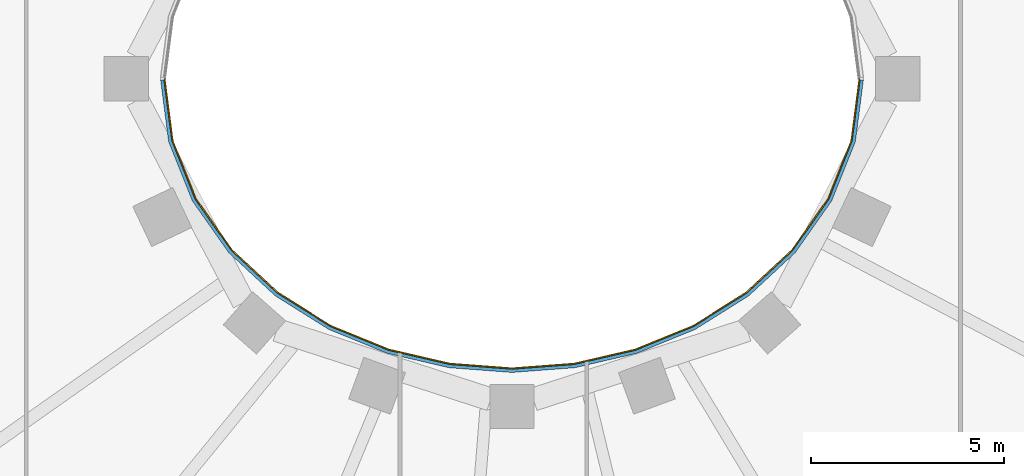
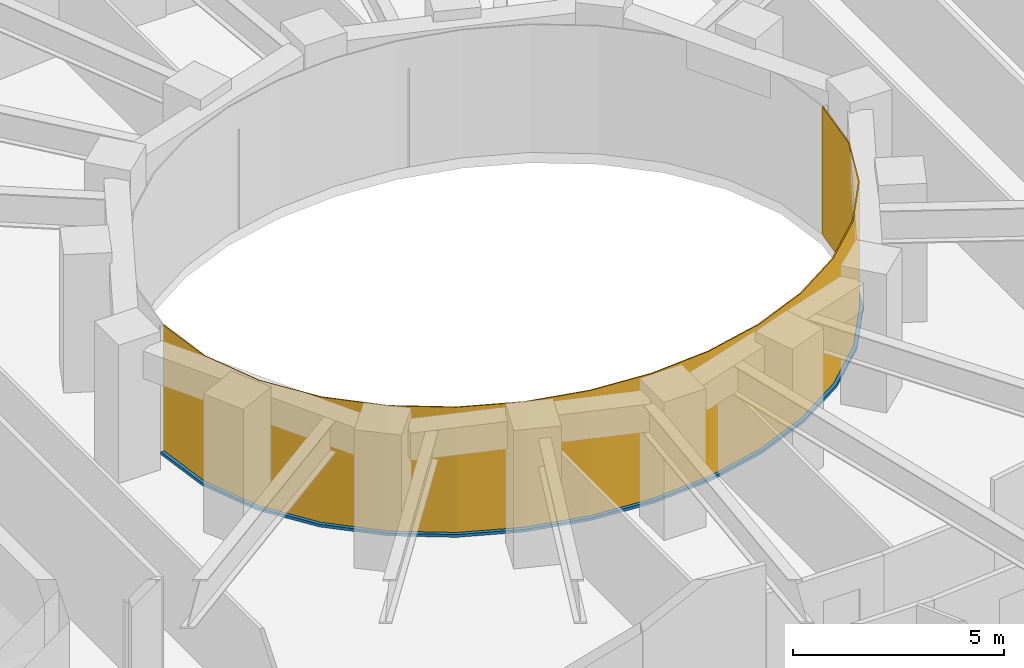
# One storey, part 10 of 17: 1 curtain wall, 1 member.
"""IFC4 building model written with IfcOpenShell, lengths in metres."""

import ifcopenshell
import ifcopenshell.guid

model = None  # the IFC model being written
_history = None  # IfcOwnerHistory: only IFC2X3 demands one
_inside = {}  # id of a spatial element -> (the spatial element, [elements in it])
_under = {}  # id of a project, library or spatial element -> (it, [spatial elements below it])
_declared = {}  # id of a project -> (the project, [libraries it declares])
_typed = {}  # id of a type object -> (the type object, [elements of that type])
_made_of = {}  # id of a material, layer set ... -> (it, [elements and type objects made of it])


def new_model(schema):
    """Start an empty IFC model of exactly this schema.

    Asked for "IFC4X3", IfcOpenShell would pick the latest addendum, in which some entities
    have other attributes; the version numbers below select the first issue.
    IFC2X3 requires an IfcOwnerHistory on every rooted entity: one is made here for all.
    """
    global model, _history
    if schema == "IFC4X3":
        model = ifcopenshell.file(schema_version=(4, 3, 0, 0))
    else:
        model = ifcopenshell.file(schema=schema)
    _inside.clear()
    _under.clear()
    _declared.clear()
    _typed.clear()
    _made_of.clear()
    _history = None
    if model.schema == "IFC2X3":
        org = make("IfcOrganization", Name="unknown")
        user = make(
            "IfcPersonAndOrganization",
            ThePerson=make("IfcPerson", FamilyName="unknown"),
            TheOrganization=org,
        )
        app = make(
            "IfcApplication",
            ApplicationDeveloper=org,
            Version="unknown",
            ApplicationFullName="unknown",
            ApplicationIdentifier="unknown",
        )
        _history = make(
            "IfcOwnerHistory",
            OwningUser=user,
            OwningApplication=app,
            ChangeAction="ADDED",
            CreationDate=0,
        )
    return model


def make(cls, **values):
    """One entity of the class cls with the attributes given. An attribute that is None is left unset."""
    return model.create_entity(
        cls, **{name: value for name, value in values.items() if value is not None}
    )


def rooted(cls, **values):
    """An entity with a GlobalId (a new one), such as an element, a storey or a relation."""
    return make(cls, GlobalId=ifcopenshell.guid.new(), OwnerHistory=_history, **values)


def si_unit(unit_type, name, prefix=None):
    """IfcSIUnit, for example si_unit("LENGTHUNIT", "METRE", prefix="MILLI")."""
    return make("IfcSIUnit", UnitType=unit_type, Prefix=prefix, Name=name)


def assignment(units):
    """IfcUnitAssignment: the units of a project."""
    return None if units is None else make("IfcUnitAssignment", Units=units)


def point(xyz):
    """IfcCartesianPoint."""
    return None if xyz is None else make("IfcCartesianPoint", Coordinates=xyz)


def direction(xyz):
    """IfcDirection."""
    return None if xyz is None else make("IfcDirection", DirectionRatios=xyz)


def frame(location, z_axis=None, x_axis=None):
    """IfcAxis2Placement3D, a coordinate frame: its origin and axes. An axis left out is left unset."""
    return make(
        "IfcAxis2Placement3D",
        Location=point(location),
        Axis=direction(z_axis),
        RefDirection=direction(x_axis),
    )


def origin():
    """The frame at (0, 0, 0) with its axes left unset."""
    return frame((0.0, 0.0, 0.0))


def place(relative_to, where):
    """IfcLocalPlacement: puts the frame where relative to a parent placement (None: the world)."""
    return make(
        "IfcLocalPlacement", PlacementRelTo=relative_to, RelativePlacement=where
    )


def context(
    kind, dimensions, precision=None, world=None, true_north=None, identifier=None
):
    """IfcGeometricRepresentationContext, for example the 3D "Model" context."""
    return make(
        "IfcGeometricRepresentationContext",
        ContextIdentifier=identifier,
        ContextType=kind,
        CoordinateSpaceDimension=dimensions,
        Precision=precision,
        WorldCoordinateSystem=world,
        TrueNorth=true_north,
    )


def subcontext(parent, identifier, kind, view, scale=None):
    """IfcGeometricRepresentationSubContext, for example "Body" below "Model"."""
    return make(
        "IfcGeometricRepresentationSubContext",
        ContextIdentifier=identifier,
        ContextType=kind,
        ParentContext=parent,
        TargetScale=scale,
        TargetView=view,
    )


def project(units=None, contexts=None):
    """IfcProject with its units and contexts."""
    return rooted(
        "IfcProject",
        Name="project",
        RepresentationContexts=contexts,
        UnitsInContext=assignment(units),
    )


def spatial(cls, under=None, at=None, **own):
    """A site, building, storey or space (cls), placed at a placement, below another one or the project."""
    s = rooted(cls, ObjectPlacement=at, **own)
    if under is not None:
        _under.setdefault(under.id(), (under, []))[1].append(s)
    return s


def polyline(points):
    """IfcPolyline through the points."""
    return make("IfcPolyline", Points=[point(p) for p in points])


def outline(outer, holes=None, kind="AREA"):
    """IfcArbitraryClosedProfileDef: a profile drawn as a closed curve; with holes, ...WithVoids."""
    if holes is None:
        return make("IfcArbitraryClosedProfileDef", ProfileType=kind, OuterCurve=outer)
    return make(
        "IfcArbitraryProfileDefWithVoids",
        ProfileType=kind,
        OuterCurve=outer,
        InnerCurves=holes,
    )


def extrude(swept, where, along, depth):
    """IfcExtrudedAreaSolid: the profile swept, set in the frame where, extruded along a direction by depth."""
    return make(
        "IfcExtrudedAreaSolid",
        SweptArea=swept,
        Position=where,
        ExtrudedDirection=direction(along),
        Depth=depth,
    )


def shape(context_of_items, identifier, shape_type, items):
    """IfcShapeRepresentation: the items that make up one representation, for example the "Body"."""
    return make(
        "IfcShapeRepresentation",
        ContextOfItems=context_of_items,
        RepresentationIdentifier=identifier,
        RepresentationType=shape_type,
        Items=items,
    )


def material(Name=None, Category=None):
    """IfcMaterial."""
    return make("IfcMaterial", Name=Name, Category=Category)


def layer(
    of_material, thickness, ventilated=None, Name=None, Category=None, Priority=None
):
    """IfcMaterialLayer: one layer of a wall or slab, of a material (None: an air gap)."""
    return make(
        "IfcMaterialLayer",
        Material=of_material,
        LayerThickness=thickness,
        IsVentilated=ventilated,
        Name=Name,
        Category=Category,
        Priority=Priority,
    )


def layer_set(layers, Name=None):
    """IfcMaterialLayerSet."""
    return make("IfcMaterialLayerSet", MaterialLayers=layers, LayerSetName=Name)


def made_of(thing, what):
    """Note that an element or type object is made of a material, layer set ...; save() writes the relation."""
    if what is not None:
        _made_of.setdefault(what.id(), (what, []))[1].append(thing)
    return thing


def type_object(cls, material=None, **own):
    """A type object (cls), such as IfcWallType, which elements share."""
    return made_of(rooted(cls, **own), material)


def element(
    cls,
    number,
    at=None,
    inside=None,
    cuts=None,
    type_object=None,
    material=None,
    context=None,
    identifier="Body",
    shape_type=None,
    held_by="IfcProductDefinitionShape",
    body=None,
    shapes=None,
    **own,
):
    """One element of the class cls, such as IfcWall. Its Tag is "e" and its number.

    at: its placement. inside: the storey or other place that contains it. cuts: it is an
    opening in that element (IfcRelVoidsElement). A single representation is given by context,
    identifier, shape_type and body (its items); several are given by shapes. held_by: the class
    of the entity that holds the representations. save() writes the other relations.
    """
    e = rooted(cls, Tag="e%d" % number, ObjectPlacement=at, **own)
    if body is not None:
        shapes = [shape(context, identifier, shape_type, body)]
    if shapes is not None:
        e.Representation = make(held_by, Representations=shapes)
    if inside is not None:
        _inside.setdefault(inside.id(), (inside, []))[1].append(e)
    if cuts is not None:
        rooted(
            "IfcRelVoidsElement", RelatingBuildingElement=cuts, RelatedOpeningElement=e
        )
    if type_object is not None:
        _typed.setdefault(type_object.id(), (type_object, []))[1].append(e)
    return made_of(e, material)


def aggregate(whole, parts):
    """IfcRelAggregates: a whole, such as a stair, and the parts it consists of."""
    return rooted("IfcRelAggregates", RelatingObject=whole, RelatedObjects=parts)


def save(model, path):
    """Write the relations noted so far, then the file.

    IfcRelAggregates (storeys below a building ...), IfcRelContainedInSpatialStructure (elements
    in a storey), IfcRelDefinesByType, IfcRelAssociatesMaterial and IfcRelDeclares: one each for
    every whole, place, type object, material and project.
    """
    for whole, parts in _under.values():
        aggregate(whole, parts)
    for where, things in _inside.values():
        rooted(
            "IfcRelContainedInSpatialStructure",
            RelatedElements=things,
            RelatingStructure=where,
        )
    for kind, things in _typed.values():
        rooted("IfcRelDefinesByType", RelatedObjects=things, RelatingType=kind)
    for what, things in _made_of.values():
        rooted("IfcRelAssociatesMaterial", RelatedObjects=things, RelatingMaterial=what)
    for by, libraries in _declared.values():
        rooted("IfcRelDeclares", RelatingContext=by, RelatedDefinitions=libraries)
    model.write(path)


model = new_model("IFC4")

# Units and contexts
model_context = context("Model", 3, precision=1e-05, world=origin(), true_north=direction((0.0, 1.0)))
body_context = subcontext(model_context, "Body", "Model", "MODEL_VIEW")
ifc_project = project(units=[si_unit("LENGTHUNIT", "METRE"), si_unit("AREAUNIT", "SQUARE_METRE"), si_unit("VOLUMEUNIT", "CUBIC_METRE"), si_unit("PLANEANGLEUNIT", "RADIAN"), si_unit("MASSUNIT", "GRAM", prefix="KILO")], contexts=[model_context])

# Member
ifc_material_1 = material(Name="Steel S355 fire-resisting frame", Category="steel")
member_type = type_object("IfcMemberType", Name="ENV-TRANSOM-W", PredefinedType="USERDEFINED", material=ifc_material_1)
site_placement = place(None, origin())
building_placement = place(site_placement, origin())
storey_placement = place(building_placement, frame((0.0, 0.0, 120.0)))
member_placement = place(storey_placement, origin())
member = element("IfcMember", 1, at=member_placement, type_object=member_type, Name="Transom W well 17-01", ObjectType="TRANSOM", PredefinedType="USERDEFINED", context=body_context, shape_type="SweptSolid", body=[
    extrude(outline(polyline([(-9.119384765625, -0.02783203125), (-8.910400390625, -1.63623046875), (-8.29833984375, -3.167236328125), (-7.35107421875, -4.5146484375), (-6.1455078125, -5.6337890625), (-4.75341796875, -6.50634765625), (-3.233642578125, -7.127685546875), (-1.635498046875, -7.498779296875), (0.0, -7.622314453125), (1.635498046875, -7.498779296875), (3.233642578125, -7.127685546875), (4.75341796875, -6.50634765625), (6.1455078125, -5.6337890625), (7.35107421875, -4.5146484375), (8.29833984375, -3.167236328125), (8.910400390625, -1.63623046875), (9.119384765625, -0.02783203125), (9.02880859375, -0.02783203125), (8.822509765625, -1.61328125), (8.21875, -3.124267578125), (7.282958984375, -4.455078125), (6.090576171875, -5.56201171875), (4.712158203125, -6.426025390625), (3.206298828125, -7.04150390625), (1.621826171875, -7.40966796875), (0.0, -7.531982421875), (-1.621826171875, -7.40966796875), (-3.206298828125, -7.04150390625), (-4.712158203125, -6.426025390625), (-6.090576171875, -5.56201171875), (-7.282958984375, -4.455078125), (-8.21875, -3.124267578125), (-8.822509765625, -1.61328125), (-9.02880859375, -0.02783203125), (-9.119384765625, -0.02783203125)])), origin(), (0.0, 0.0, 1.0), 0.080078125),
])

# Site, building, storey
site = spatial("IfcSite", under=ifc_project, at=site_placement, CompositionType="ELEMENT")
building = spatial("IfcBuilding", under=site, at=building_placement, Name="Noorbagh Ring Tower", CompositionType="ELEMENT")
storey = spatial("IfcBuildingStorey", under=building, at=storey_placement, Name="L27", CompositionType="ELEMENT", Elevation=120.0)

# Curtain wall
ifc_material_2 = material(Name="Glass fire-resisting E60 laminated", Category="glass")
ifc_layer = layer(ifc_material_2, 0.031982421875)
ifc_layer_set = layer_set([ifc_layer], Name="Glass fire-resisting E60 laminated")
curtain_wall_type = type_object("IfcCurtainWallType", Name="ENV-CW-W", PredefinedType="NOTDEFINED", material=ifc_layer_set)
curtain_wall_placement = place(storey_placement, origin())
curtain_wall = element("IfcCurtainWall", 2, at=curtain_wall_placement, inside=storey, type_object=curtain_wall_type, Name="Curtain wall W W17", PredefinedType="NOTDEFINED", context=body_context, shape_type="SweptSolid", body=[
    extrude(outline(polyline([(-9.0322265625, 0.0), (-8.822509765625, -1.61328125), (-8.21875, -3.124267578125), (-7.282958984375, -4.455078125), (-6.090576171875, -5.56201171875), (-4.712158203125, -6.426025390625), (-3.206298828125, -7.04150390625), (-1.621826171875, -7.40966796875), (0.0, -7.531982421875), (1.621826171875, -7.40966796875), (3.206298828125, -7.04150390625), (4.712158203125, -6.426025390625), (6.090576171875, -5.56201171875), (7.282958984375, -4.455078125), (8.21875, -3.124267578125), (8.822509765625, -1.61328125), (9.0322265625, 0.0), (9.0, 0.0), (8.79150390625, -1.605224609375), (8.1904296875, -3.10888671875), (7.2587890625, -4.43408203125), (6.071044921875, -5.53662109375), (4.697509765625, -6.3974609375), (3.196533203125, -7.010986328125), (1.6171875, -7.3779296875), (0.0, -7.5), (-1.6171875, -7.3779296875), (-3.196533203125, -7.010986328125), (-4.697509765625, -6.3974609375), (-6.071044921875, -5.53662109375), (-7.2587890625, -4.43408203125), (-8.1904296875, -3.10888671875), (-8.79150390625, -1.605224609375), (-9.0, 0.0), (-9.0322265625, 0.0)])), origin(), (0.0, 0.0, 1.0), 3.699951171875),
])

aggregate(curtain_wall, [member])

save(model, "model.ifc")
